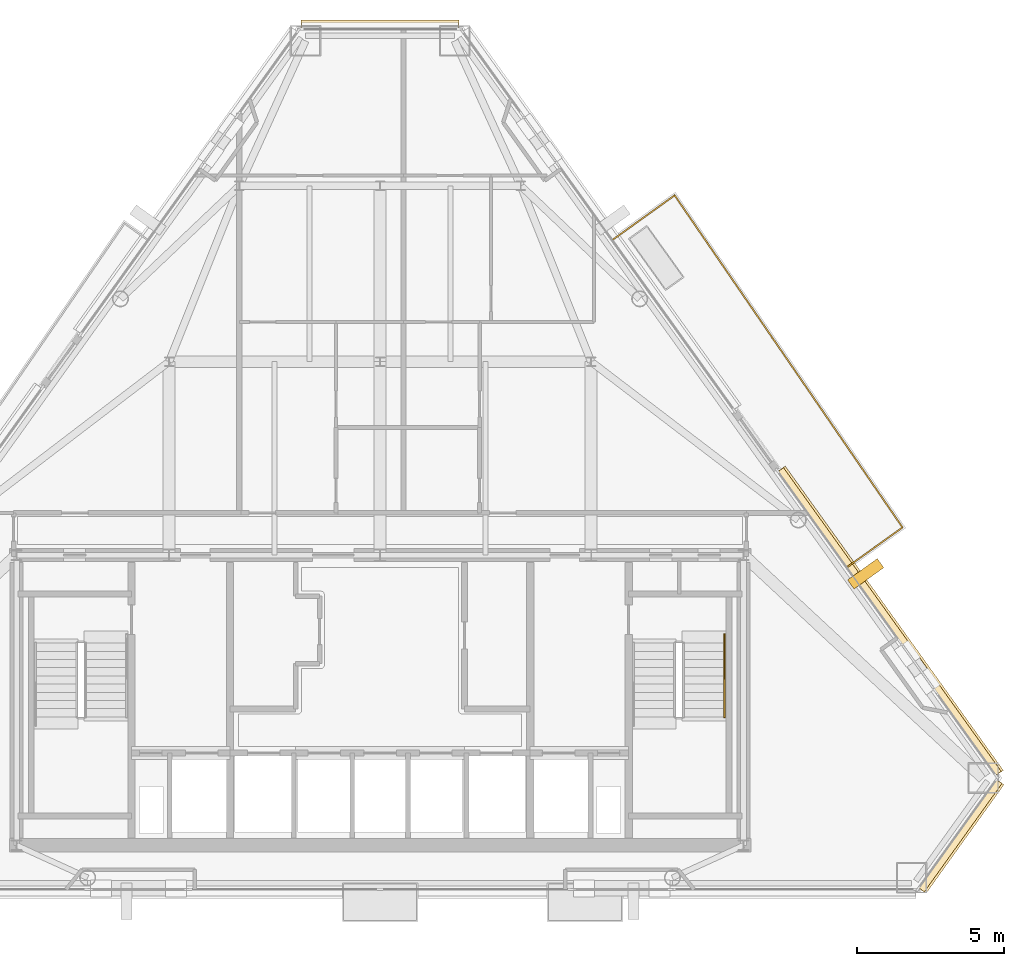
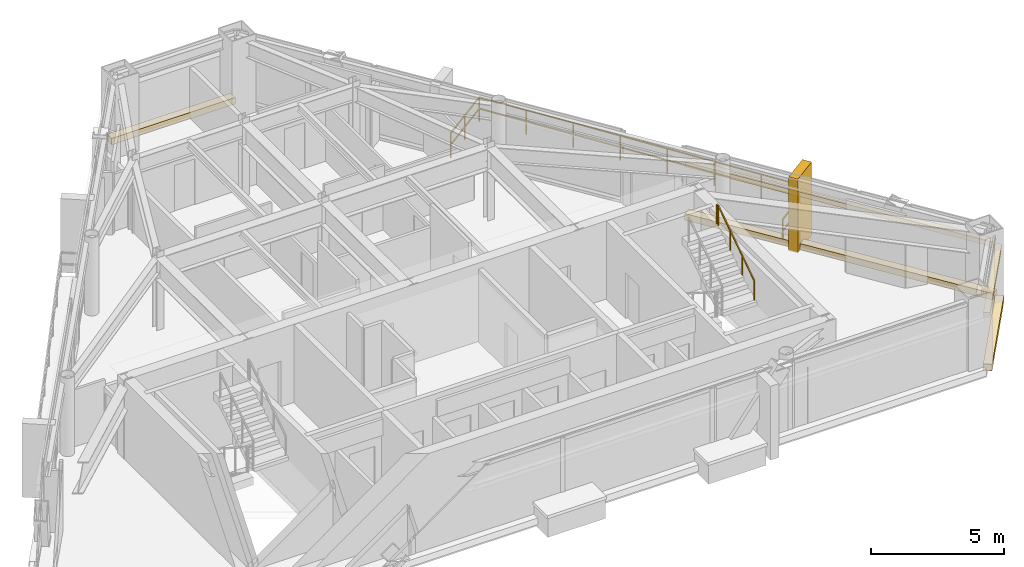
# One storey, part 11 of 11: 6 coverings, 2 railings.
"""IFC4 building model written with IfcOpenShell, lengths in metres."""

from ifc_helpers import new_model, si_unit, direction, frame, origin, origin_2d, place, context, subcontext, project, spatial, rectangle, extrude, material, layer, layer_set, type_object, element, save


model = new_model("IFC4")

# Units and contexts
model_context = context("Model", 3, precision=1e-05, world=origin(), true_north=direction((0.0, 1.0)))
body_context = subcontext(model_context, "Body", "Model", "MODEL_VIEW")
ifc_project = project(units=[si_unit("LENGTHUNIT", "METRE"), si_unit("AREAUNIT", "SQUARE_METRE"), si_unit("VOLUMEUNIT", "CUBIC_METRE"), si_unit("PLANEANGLEUNIT", "RADIAN"), si_unit("MASSUNIT", "GRAM", prefix="KILO")], contexts=[model_context])

# Site, building, storey
site_placement = place(None, origin())
site = spatial("IfcSite", under=ifc_project, at=site_placement, CompositionType="ELEMENT")
building_placement = place(site_placement, origin())
building = spatial("IfcBuilding", under=site, at=building_placement, Name="Talgorran Terracotta Tower", CompositionType="ELEMENT")
storey_placement = place(building_placement, frame((0.0, 0.0, 233.39990234375)))
storey = spatial("IfcBuildingStorey", under=building, at=storey_placement, Name="L61", CompositionType="ELEMENT", Elevation=233.39990234375)

# Coverings
ifc_material_1 = material(Name="Kiln-Fired Terracotta Ochre Ceramic", Category="masonry")
ifc_layer_1 = layer(ifc_material_1, 0.179931640625, Name="COV_BAGUETTE_TERRACOTTA_SCREEN")
ifc_layer_set_1 = layer_set([ifc_layer_1], Name="Kiln-Fired Terracotta Ochre Ceramic")
covering_type_1 = type_object("IfcCoveringType", Name="COV_BAGUETTE_TERRACOTTA_SCREEN", PredefinedType="CLADDING", material=ifc_layer_set_1)
covering_1_placement = place(storey_placement, frame((19.7880859375, -13.76318359375, 2.41015625), z_axis=(0.0, 0.0, 1.0), x_axis=(0.582662110936, 0.812714503673, 0.0)))
element("IfcCovering", 1, at=covering_1_placement, inside=storey, type_object=covering_type_1, Name="L61 Terracotta Baguette Solar Screen Assembly F2", PredefinedType="CLADDING", context=body_context, shape_type="SweptSolid", body=[
    extrude(rectangle(XDim=4.542724609375, YDim=0.260009765625, at=origin_2d()), origin(), (0.0, 0.0, 1.0), 0.219970703125),
])
covering_2_placement = place(storey_placement, frame((17.374267578125, -6.473876953125, 2.41015625), z_axis=(0.0, 0.0, 1.0), x_axis=(-0.582662110936, 0.812714503673, 0.0)))
element("IfcCovering", 2, at=covering_2_placement, inside=storey, type_object=covering_type_1, Name="L61 Terracotta Baguette Solar Screen Assembly F40", PredefinedType="CLADDING", context=body_context, shape_type="SweptSolid", body=[
    extrude(rectangle(XDim=12.74853515625, YDim=0.260009765625, at=origin_2d()), origin(), (0.0, 0.0, 1.0), 0.219970703125),
])
ifc_material_2 = material(Name="Honed Limestone Cladding", Category="masonry")
ifc_layer_2 = layer(ifc_material_2, 0.094970703125, Name="COV_PORTAL_LIME")
ifc_layer_set_2 = layer_set([ifc_layer_2], Name="Honed Limestone Cladding")
covering_type_2 = type_object("IfcCoveringType", Name="COV_PORTAL_LIME", PredefinedType="CLADDING", material=ifc_layer_set_2)
covering_3_placement = place(storey_placement, frame((16.569091796875, -4.836181640625, -0.0498046875), z_axis=(0.0, 0.0, 1.0), x_axis=(-0.582662110936, 0.812714503673, 0.0)))
element("IfcCovering", 3, at=covering_3_placement, inside=storey, type_object=covering_type_2, Name="L61 White Striped Portal Fin F3-1", PredefinedType="CLADDING", context=body_context, shape_type="SweptSolid", body=[
    extrude(rectangle(XDim=0.3798828125, YDim=1.25, at=origin_2d()), origin(), (0.0, 0.0, 1.0), 3.39501953125),
])
ifc_material_3 = material(Name="Kiln-Fired Terracotta Cladding", Category="masonry")
ifc_layer_3 = layer(ifc_material_3, 0.090087890625, Name="COV_PORTAL_TERRA")
ifc_layer_set_3 = layer_set([ifc_layer_3], Name="Kiln-Fired Terracotta Cladding")
covering_type_3 = type_object("IfcCoveringType", Name="COV_PORTAL_TERRA", PredefinedType="CLADDING", material=ifc_layer_set_3)
covering_4_placement = place(storey_placement, frame((19.820556640625, -13.78662109375, -0.0400390625), z_axis=(0.0, 0.0, 1.0), x_axis=(0.582662110936, 0.812714503673, 0.0)))
element("IfcCovering", 4, at=covering_4_placement, inside=storey, type_object=covering_type_3, Name="L61 Striped Postmodern Portal Cladding Band F2", PredefinedType="CLADDING", context=body_context, shape_type="SweptSolid", body=[
    extrude(rectangle(XDim=4.562744140625, YDim=0.340087890625, at=origin_2d()), origin(), (0.0, 0.0, 1.0), 0.300048828125),
])
covering_5_placement = place(storey_placement, frame((17.40673828125, -6.45068359375, -0.0400390625), z_axis=(0.0, 0.0, 1.0), x_axis=(-0.582662110936, 0.812714503673, 0.0)))
element("IfcCovering", 5, at=covering_5_placement, inside=storey, type_object=covering_type_3, Name="L61 Striped Postmodern Portal Cladding Band F40", PredefinedType="CLADDING", context=body_context, shape_type="SweptSolid", body=[
    extrude(rectangle(XDim=12.7685546875, YDim=0.340087890625, at=origin_2d()), origin(), (0.0, 0.0, 1.0), 0.300048828125),
])
covering_6_placement = place(storey_placement, frame((0.0, 13.888671875, -0.0400390625), z_axis=(0.0, 0.0, 1.0), x_axis=(-1.0, 0.0, 0.0)))
element("IfcCovering", 6, at=covering_6_placement, inside=storey, type_object=covering_type_3, Name="L61 Striped Postmodern Portal Cladding Band F4", PredefinedType="CLADDING", context=body_context, shape_type="SweptSolid", body=[
    extrude(rectangle(XDim=5.3857421875, YDim=0.340087890625, at=origin_2d()), origin(), (0.0, 0.0, 1.0), 0.300048828125),
])

# Railings
ifc_material_4 = material(Name="Laminated Glass and Stainless Steel 316", Category="steel")
railing_type_1 = type_object("IfcRailingType", Name="RL_BALCONY_1150", PredefinedType="BALUSTRADE", material=ifc_material_4)
railing_1_placement = place(storey_placement, frame((15.937744140625, -4.607421875, 0.0)))
element("IfcRailing", 7, at=railing_1_placement, inside=storey, type_object=railing_type_1, Name="RL-L61-BAL-BAL-NE", PredefinedType="BALUSTRADE", context=body_context, shape_type="SweptSolid", body=[
    extrude(rectangle(XDim=0.048095703125, YDim=0.048095703125, at=origin_2d()), frame((0.0, 0.0, 1.1259765625), z_axis=(0.812744945884, 0.582619646888, 0.0), x_axis=(-0.582619646888, 0.812744945884, 0.0)), (0.0, 0.0, 1.0), 2.322265625),
    extrude(rectangle(XDim=0.048095703125, YDim=0.048095703125, at=origin_2d()), frame((0.0, 0.0, 0.597900390625), z_axis=(0.812744945884, 0.582619646888, 0.0), x_axis=(-0.582619646888, 0.812744945884, 0.0)), (0.0, 0.0, 1.0), 2.322265625),
    extrude(rectangle(XDim=0.048095703125, YDim=0.048095703125, at=origin_2d()), frame((1.887451171875, 1.35302734375, 1.1259765625), z_axis=(-0.565819049911, 0.824529443233, 0.0), x_axis=(-0.824529443233, -0.565819049911, 0.0)), (0.0, 0.0, 1.0), 13.740966796875),
    extrude(rectangle(XDim=0.048095703125, YDim=0.048095703125, at=origin_2d()), frame((1.887451171875, 1.35302734375, 0.597900390625), z_axis=(-0.565819049911, 0.824529443233, 0.0), x_axis=(-0.824529443233, -0.565819049911, 0.0)), (0.0, 0.0, 1.0), 13.740966796875),
    extrude(rectangle(XDim=0.048095703125, YDim=0.048095703125, at=origin_2d()), frame((-5.887451171875, 12.682861328125, 1.1259765625), z_axis=(-0.812725411469, -0.582646896115, 0.0), x_axis=(0.582646896115, -0.812725411469, 0.0)), (0.0, 0.0, 1.0), 2.60498046875),
    extrude(rectangle(XDim=0.048095703125, YDim=0.048095703125, at=origin_2d()), frame((-5.887451171875, 12.682861328125, 0.597900390625), z_axis=(-0.812725411469, -0.582646896115, 0.0), x_axis=(0.582646896115, -0.812725411469, 0.0)), (0.0, 0.0, 1.0), 2.60498046875),
    extrude(rectangle(XDim=0.0419921875, YDim=0.0419921875, at=origin_2d()), origin(), (0.0, 0.0, 1.0), 1.101806640625),
    extrude(rectangle(XDim=0.0419921875, YDim=0.0419921875, at=origin_2d()), frame((0.94384765625, 0.676513671875, 0.0)), (0.0, 0.0, 1.0), 1.101806640625),
    extrude(rectangle(XDim=0.0419921875, YDim=0.0419921875, at=origin_2d()), frame((1.887451171875, 1.35302734375, 0.0)), (0.0, 0.0, 1.0), 1.101806640625),
    extrude(rectangle(XDim=0.0419921875, YDim=0.0419921875, at=origin_2d()), frame((0.77685546875, 2.9716796875, 0.0)), (0.0, 0.0, 1.0), 1.101806640625),
    extrude(rectangle(XDim=0.0419921875, YDim=0.0419921875, at=origin_2d()), frame((-0.333984375, 4.590087890625, 0.0)), (0.0, 0.0, 1.0), 1.101806640625),
    extrude(rectangle(XDim=0.0419921875, YDim=0.0419921875, at=origin_2d()), frame((-1.444580078125, 6.208740234375, 0.0)), (0.0, 0.0, 1.0), 1.101806640625),
    extrude(rectangle(XDim=0.0419921875, YDim=0.0419921875, at=origin_2d()), frame((-2.555419921875, 7.8271484375, 0.0)), (0.0, 0.0, 1.0), 1.101806640625),
    extrude(rectangle(XDim=0.0419921875, YDim=0.0419921875, at=origin_2d()), frame((-3.666015625, 9.44580078125, 0.0)), (0.0, 0.0, 1.0), 1.101806640625),
    extrude(rectangle(XDim=0.0419921875, YDim=0.0419921875, at=origin_2d()), frame((-4.77685546875, 11.064208984375, 0.0)), (0.0, 0.0, 1.0), 1.101806640625),
    extrude(rectangle(XDim=0.0419921875, YDim=0.0419921875, at=origin_2d()), frame((-5.887451171875, 12.682861328125, 0.0)), (0.0, 0.0, 1.0), 1.101806640625),
    extrude(rectangle(XDim=0.0419921875, YDim=0.0419921875, at=origin_2d()), frame((-6.946044921875, 11.923828125, 0.0)), (0.0, 0.0, 1.0), 1.101806640625),
    extrude(rectangle(XDim=0.0419921875, YDim=0.0419921875, at=origin_2d()), frame((-8.004638671875, 11.1650390625, 0.0)), (0.0, 0.0, 1.0), 1.101806640625),
])
ifc_material_5 = material(Name="Steel S355 (300PLUS)", Category="steel")
railing_type_2 = type_object("IfcRailingType", Name="RL_HANDRAIL_920", PredefinedType="HANDRAIL", material=ifc_material_5)
railing_2_placement = place(storey_placement, frame((11.75, -9.719970703125, 1.97998046875)))
element("IfcRailing", 8, at=railing_2_placement, inside=storey, type_object=railing_type_2, Name="L61 ST-02 stair handrail 2", PredefinedType="HANDRAIL", context=body_context, shape_type="SweptSolid", body=[
    extrude(rectangle(XDim=0.048095703125, YDim=0.048095703125, at=origin_2d()), frame((0.0, 0.0, 0.89599609375), z_axis=(0.0, 0.832038719335, 0.554717558338), x_axis=(-1.0, 0.0, 0.0)), (0.0, 0.0, 1.0), 3.244873046875),
    extrude(rectangle(XDim=0.048095703125, YDim=0.048095703125, at=origin_2d()), frame((0.0, 2.699951171875, 2.69580078125), z_axis=(0.0, 1.0, 0.0), x_axis=(-1.0, 0.0, 0.0)), (0.0, 0.0, 1.0), 0.1201171875),
    extrude(rectangle(XDim=0.0419921875, YDim=0.0419921875, at=origin_2d()), origin(), (0.0, 0.0, 1.0), 0.871826171875),
    extrude(rectangle(XDim=0.0419921875, YDim=0.0419921875, at=origin_2d()), frame((0.0, 0.89990234375, 0.60009765625)), (0.0, 0.0, 1.0), 0.871826171875),
    extrude(rectangle(XDim=0.0419921875, YDim=0.0419921875, at=origin_2d()), frame((0.0, 1.800048828125, 1.199951171875)), (0.0, 0.0, 1.0), 0.871826171875),
    extrude(rectangle(XDim=0.0419921875, YDim=0.0419921875, at=origin_2d()), frame((0.0, 2.699951171875, 1.800048828125)), (0.0, 0.0, 1.0), 0.871826171875),
    extrude(rectangle(XDim=0.0419921875, YDim=0.0419921875, at=origin_2d()), frame((0.0, 2.820068359375, 1.800048828125)), (0.0, 0.0, 1.0), 0.871826171875),
])

save(model, "model.ifc")
